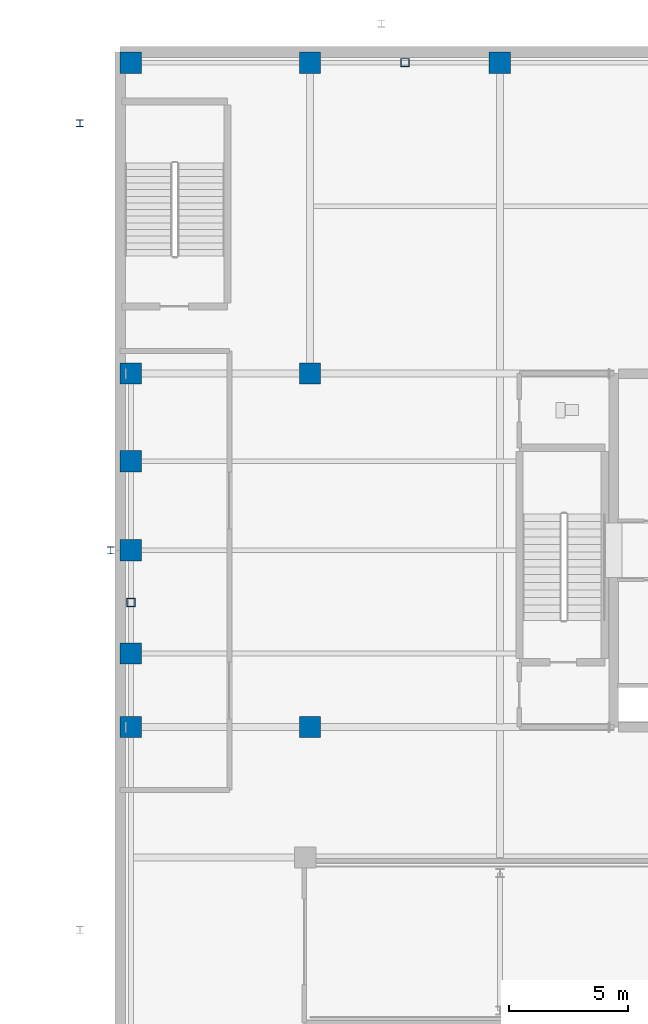
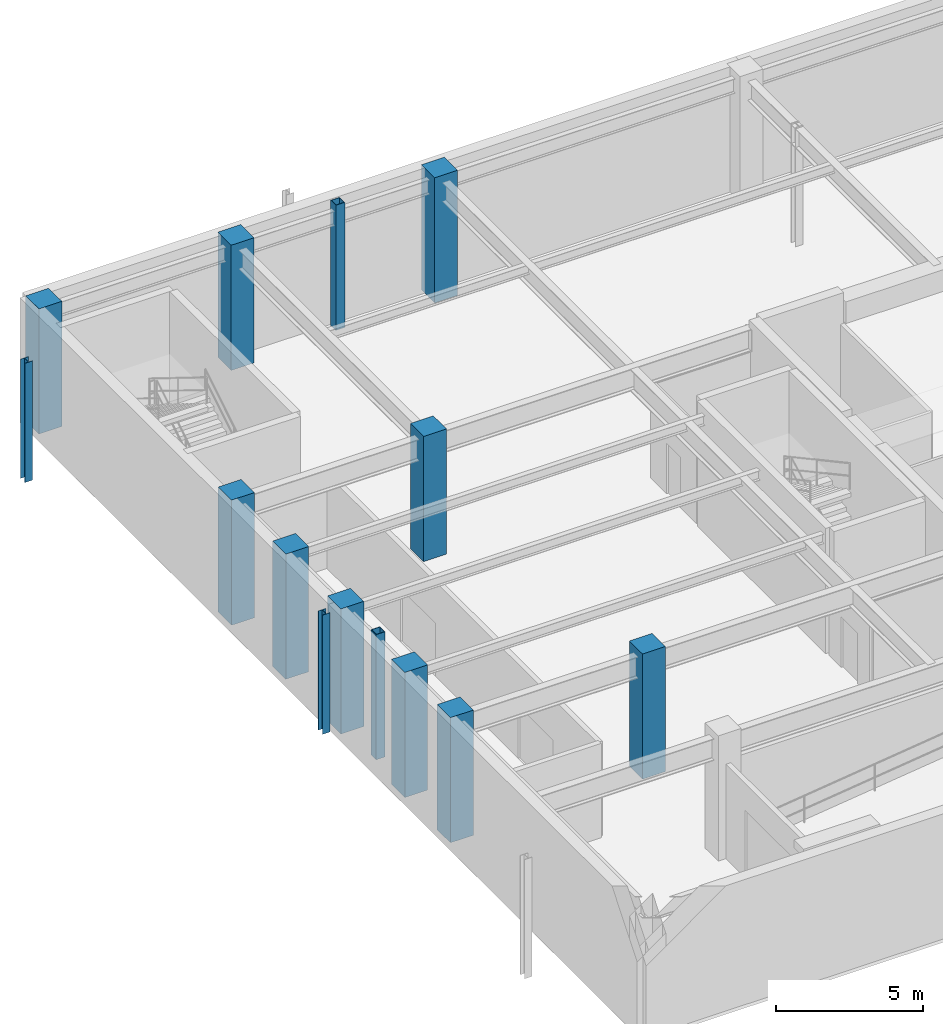
# One storey, part 3 of 16: 14 columns.
"""IFC4 building model written with IfcOpenShell, lengths in metres."""

from ifc_helpers import new_model, si_unit, direction, frame, origin, origin_2d, place, context, subcontext, project, spatial, rectangle, hollow_rectangle, i_section, extrude, material, material_profile, profile_set, type_object, element, save


model = new_model("IFC4")

# Units and contexts
model_context = context("Model", 3, precision=1e-05, world=origin(), true_north=direction((0.0, 1.0)))
body_context = subcontext(model_context, "Body", "Model", "MODEL_VIEW")
ifc_project = project(units=[si_unit("LENGTHUNIT", "METRE"), si_unit("AREAUNIT", "SQUARE_METRE"), si_unit("VOLUMEUNIT", "CUBIC_METRE"), si_unit("PLANEANGLEUNIT", "RADIAN"), si_unit("MASSUNIT", "GRAM", prefix="KILO")], contexts=[model_context])

# Site, building, storey
site_placement = place(None, origin())
site = spatial("IfcSite", under=ifc_project, at=site_placement, CompositionType="ELEMENT")
building_placement = place(site_placement, origin())
building = spatial("IfcBuilding", under=site, at=building_placement, Name="Veldorina Hangang Commons", CompositionType="ELEMENT")
storey_placement = place(building_placement, frame((0.0, 0.0, -5.199951171875)))
storey = spatial("IfcBuildingStorey", under=building, at=storey_placement, Name="B01", CompositionType="ELEMENT", Elevation=-5.199951171875)

# Columns
ifc_material_1 = material(Name="Steel SM355-TMC", Category="steel")
ifc_material_profile_1 = material_profile(ifc_material_1, i_section(OverallWidth=0.300048828125, OverallDepth=0.300048828125, WebThickness=0.010009765625, FlangeThickness=0.014892578125, FilletRadius=0.012939453125, at=origin_2d()), Name="H-300x300x10x15")
ifc_profile_set_1 = profile_set([ifc_material_profile_1], Name="Steel SM355-TMC")
column_type_1 = type_object("IfcColumnType", Name="COL-H300", PredefinedType="COLUMN", material=ifc_profile_set_1)
for number, where, z_axis, x_axis, name in (
    (1, (2.300048828125, 42.0, 0.0), (0.0, 0.0, 1.0), (1.0, 0.0, 0.0), "B01 walkway support pier WEST2"),
    (2, (3.60009765625, 24.0, 0.0), (0.0, 0.0, 1.0), (1.0, 0.0, 0.0), "B01 walkway support pier WEST3"),
):
    element("IfcColumn", number, at=place(storey_placement, frame(where, z_axis=z_axis, x_axis=x_axis)), inside=storey, type_object=column_type_1, Name=name, PredefinedType="COLUMN", context=body_context, shape_type="SweptSolid", body=[
        extrude(i_section(OverallWidth=0.300048828125, OverallDepth=0.300048828125, WebThickness=0.010009765625, FlangeThickness=0.014892578125, FilletRadius=0.012939453125, at=origin_2d()), origin(), (0.0, 0.0, 1.0), 4.949951171875),
    ])
ifc_material_profile_2 = material_profile(ifc_material_1, hollow_rectangle(XDim=0.35009765625, YDim=0.35009765625, WallThickness=0.01611328125, at=origin_2d()), Name="SHS-350x350x16")
ifc_profile_set_2 = profile_set([ifc_material_profile_2], Name="Steel SM355-TMC")
column_type_2 = type_object("IfcColumnType", Name="COL-PIL-350", PredefinedType="PILASTER", material=ifc_profile_set_2)
for number, where, z_axis, x_axis, name in (
    (3, (16.0, 44.550048828125, 0.0), (0.0, 0.0, 1.0), (1.0, 0.0, 0.0), "B01 rationalist colonnade pilaster 1"),
    (4, (4.449951171875, 21.800048828125, 0.0), (0.0, 0.0, 1.0), (1.0, 0.0, 0.0), "B01 rationalist colonnade pilaster 3"),
):
    element("IfcColumn", number, at=place(storey_placement, frame(where, z_axis=z_axis, x_axis=x_axis)), inside=storey, type_object=column_type_2, Name=name, PredefinedType="PILASTER", context=body_context, shape_type="SweptSolid", body=[
        extrude(hollow_rectangle(XDim=0.35009765625, YDim=0.35009765625, WallThickness=0.01611328125, at=origin_2d()), origin(), (0.0, 0.0, 1.0), 5.199951171875),
    ])
ifc_material_2 = material(Name="Concrete C50/60", Category="concrete")
ifc_material_profile_3 = material_profile(ifc_material_2, rectangle(XDim=0.89990234375, YDim=0.89990234375, at=origin_2d()), Name="RC-COL-900x900")
ifc_profile_set_3 = profile_set([ifc_material_profile_3], Name="Concrete C50/60")
column_type_3 = type_object("IfcColumnType", Name="COL-RC900", PredefinedType="COLUMN", material=ifc_profile_set_3)
for number, where, z_axis, x_axis, name in (
    (5, (4.449951171875, 44.550048828125, 0.0), (0.0, 0.0, 1.0), (1.0, 0.0, 0.0), "B01 structural column N1"),
    (6, (12.0, 44.550048828125, 0.0), (0.0, 0.0, 1.0), (1.0, 0.0, 0.0), "B01 structural column N2"),
    (7, (20.0, 44.550048828125, 0.0), (0.0, 0.0, 1.0), (1.0, 0.0, 0.0), "B01 structural column N3"),
    (8, (4.449951171875, 16.550048828125, 0.0), (0.0, 0.0, 1.0), (1.0, 0.0, 0.0), "B01 structural column W1"),
    (9, (4.449951171875, 19.64990234375, 0.0), (0.0, 0.0, 1.0), (1.0, 0.0, 0.0), "B01 structural column W2"),
    (10, (4.449951171875, 24.0, 0.0), (0.0, 0.0, 1.0), (1.0, 0.0, 0.0), "B01 structural column W3"),
    (11, (4.449951171875, 27.75, 0.0), (0.0, 0.0, 1.0), (1.0, 0.0, 0.0), "B01 structural column W4"),
    (12, (4.449951171875, 31.449951171875, 0.0), (0.0, 0.0, 1.0), (1.0, 0.0, 0.0), "B01 structural column W5"),
    (13, (12.0, 16.550048828125, 0.0), (0.0, 0.0, 1.0), (1.0, 0.0, 0.0), "B01 structural column BM1"),
    (14, (12.0, 31.449951171875, 0.0), (0.0, 0.0, 1.0), (1.0, 0.0, 0.0), "B01 structural column BM2"),
):
    element("IfcColumn", number, at=place(storey_placement, frame(where, z_axis=z_axis, x_axis=x_axis)), inside=storey, type_object=column_type_3, Name=name, PredefinedType="COLUMN", context=body_context, shape_type="SweptSolid", body=[
        extrude(rectangle(XDim=0.89990234375, YDim=0.89990234375, at=origin_2d()), origin(), (0.0, 0.0, 1.0), 5.199951171875),
    ])

save(model, "model.ifc")
